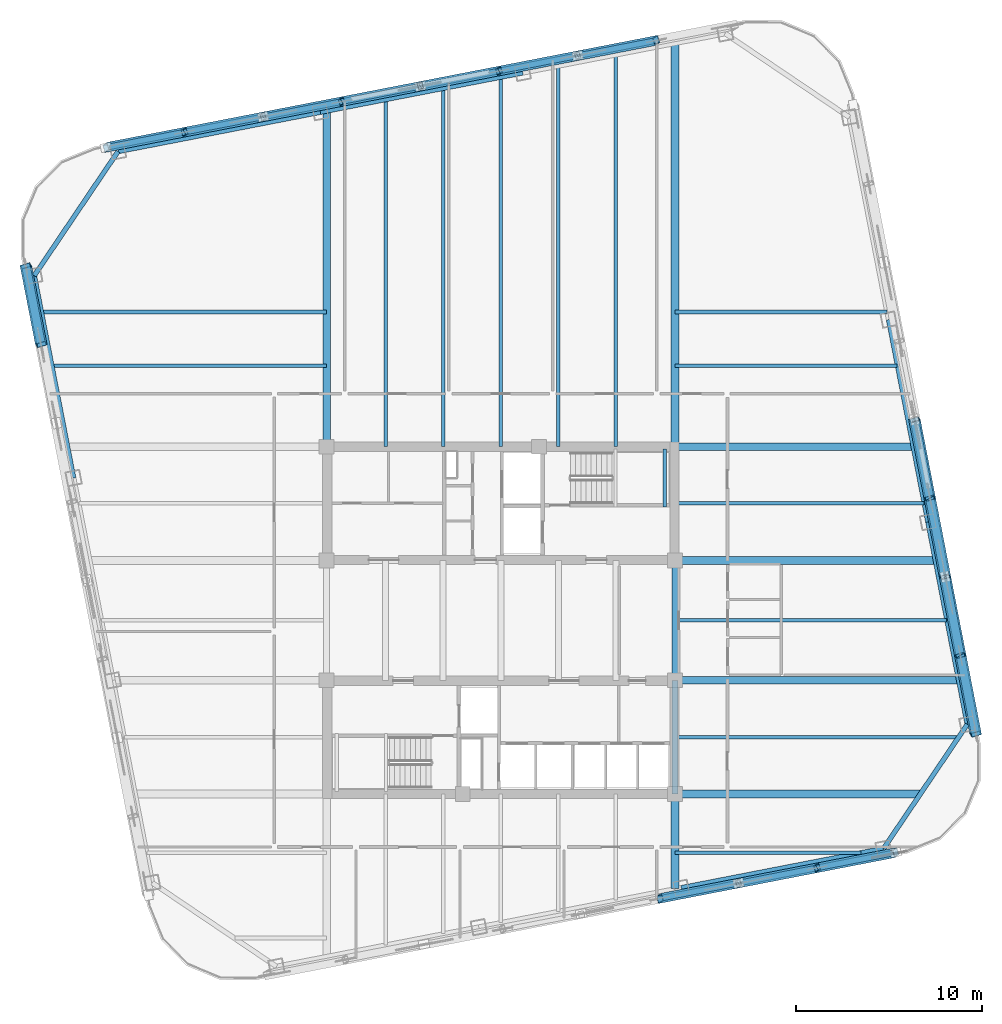
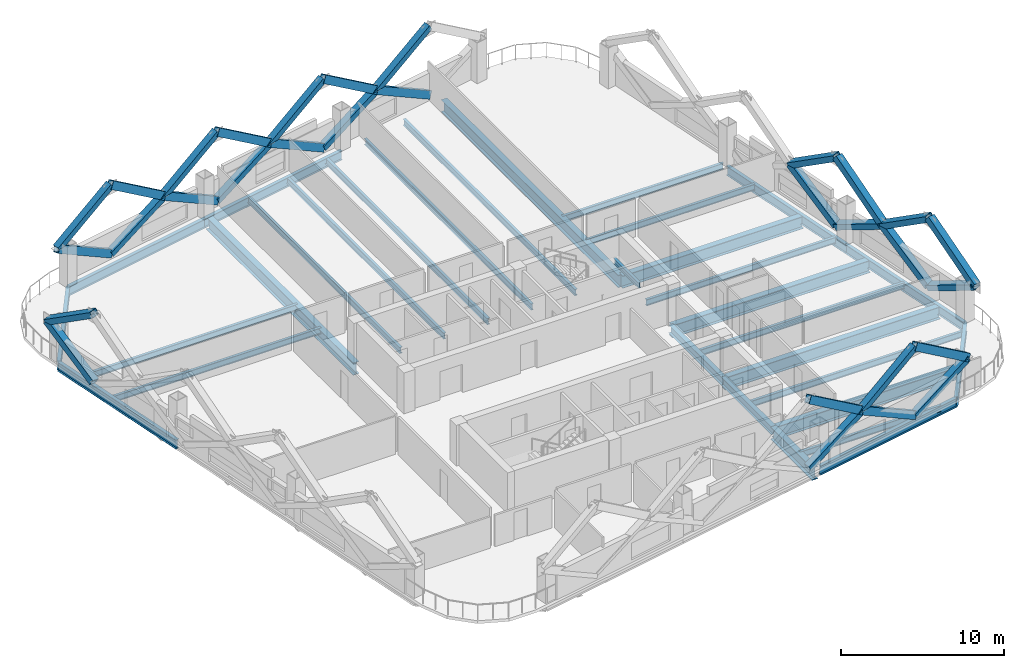
# One storey, part 2 of 10: 31 beams, 30 members.
"""IFC4 building model written with IfcOpenShell, lengths in metres."""

from ifc_helpers import new_model, si_unit, direction, frame, origin, origin_2d, place, context, subcontext, project, spatial, hollow_rectangle, i_section, extrude, material, material_profile, profile_set, type_object, element, save


model = new_model("IFC4")

# Units and contexts
model_context = context("Model", 3, precision=1e-05, world=origin(), true_north=direction((0.0, 1.0)))
body_context = subcontext(model_context, "Body", "Model", "MODEL_VIEW")
ifc_project = project(units=[si_unit("LENGTHUNIT", "METRE"), si_unit("AREAUNIT", "SQUARE_METRE"), si_unit("VOLUMEUNIT", "CUBIC_METRE"), si_unit("PLANEANGLEUNIT", "RADIAN"), si_unit("MASSUNIT", "GRAM", prefix="KILO")], contexts=[model_context])

# Site, building, storey
site_placement = place(None, origin())
site = spatial("IfcSite", under=ifc_project, at=site_placement, CompositionType="ELEMENT")
building_placement = place(site_placement, origin())
building = spatial("IfcBuilding", under=site, at=building_placement, Name="Qhalaya Broadcast Tower", CompositionType="ELEMENT")
storey_placement = place(building_placement, frame((0.0, 0.0, 125.0)))
storey = spatial("IfcBuildingStorey", under=building, at=storey_placement, Name="L36", CompositionType="ELEMENT", Elevation=125.0)

# Beams
ifc_material_1 = material(Name="Structural Steel ASTM A992 Grade 50", Category="steel")
ifc_material_profile_1 = material_profile(ifc_material_1, i_section(OverallWidth=0.19189453125, OverallDepth=0.462890625, WebThickness=0.010498046875, FlangeThickness=0.017578125, at=origin_2d()), Name="W18X60")
ifc_profile_set_1 = profile_set([ifc_material_profile_1], Name="Structural Steel ASTM A992 Grade 50")
beam_type_1 = type_object("IfcBeamType", Name="Composite Floor Joist J03", PredefinedType="JOIST", material=ifc_profile_set_1)
beam_1_placement = place(storey_placement, frame((-6.199951171875, 9.949951171875, -0.451416015625), z_axis=(0.0, 1.0, 0.0), x_axis=(-1.0, 0.0, 0.0)))
element("IfcBeam", 1, at=beam_1_placement, inside=storey, type_object=beam_type_1, Name="L36 J03 L36-JNN1-1", PredefinedType="JOIST", context=body_context, shape_type="SweptSolid", body=[
    extrude(i_section(OverallWidth=0.19189453125, OverallDepth=0.462890625, WebThickness=0.010498046875, FlangeThickness=0.017578125, at=origin_2d()), origin(), (0.0, 0.0, 1.0), 18.6728515625),
])
beam_2_placement = place(storey_placement, frame((-3.10009765625, 9.949951171875, -0.451416015625), z_axis=(0.0, 1.0, 0.0), x_axis=(-1.0, 0.0, 0.0)))
element("IfcBeam", 2, at=beam_2_placement, inside=storey, type_object=beam_type_1, Name="L36 J03 L36-JNN2-1", PredefinedType="JOIST", context=body_context, shape_type="SweptSolid", body=[
    extrude(i_section(OverallWidth=0.19189453125, OverallDepth=0.462890625, WebThickness=0.010498046875, FlangeThickness=0.017578125, at=origin_2d()), origin(), (0.0, 0.0, 1.0), 19.275390625),
])
beam_3_placement = place(storey_placement, frame((0.0, 9.949951171875, -0.451416015625), z_axis=(0.0, 1.0, 0.0), x_axis=(-1.0, 0.0, 0.0)))
element("IfcBeam", 3, at=beam_3_placement, inside=storey, type_object=beam_type_1, Name="L36 J03 L36-JNN3-1", PredefinedType="JOIST", context=body_context, shape_type="SweptSolid", body=[
    extrude(i_section(OverallWidth=0.19189453125, OverallDepth=0.462890625, WebThickness=0.010498046875, FlangeThickness=0.017578125, at=origin_2d()), origin(), (0.0, 0.0, 1.0), 19.8779296875),
])
beam_4_placement = place(storey_placement, frame((3.10009765625, 9.949951171875, -0.451416015625), z_axis=(0.0, 1.0, 0.0), x_axis=(-1.0, 0.0, 0.0)))
element("IfcBeam", 4, at=beam_4_placement, inside=storey, type_object=beam_type_1, Name="L36 J03 L36-JNN4-1", PredefinedType="JOIST", context=body_context, shape_type="SweptSolid", body=[
    extrude(i_section(OverallWidth=0.19189453125, OverallDepth=0.462890625, WebThickness=0.010498046875, FlangeThickness=0.017578125, at=origin_2d()), origin(), (0.0, 0.0, 1.0), 20.480712890625),
])
beam_5_placement = place(storey_placement, frame((6.199951171875, 9.949951171875, -0.451416015625), z_axis=(0.0, 1.0, 0.0), x_axis=(-1.0, 0.0, 0.0)))
element("IfcBeam", 5, at=beam_5_placement, inside=storey, type_object=beam_type_1, Name="L36 J03 L36-JNN5-1", PredefinedType="JOIST", context=body_context, shape_type="SweptSolid", body=[
    extrude(i_section(OverallWidth=0.19189453125, OverallDepth=0.462890625, WebThickness=0.010498046875, FlangeThickness=0.017578125, at=origin_2d()), origin(), (0.0, 0.0, 1.0), 21.083251953125),
])
beam_6_placement = place(storey_placement, frame((9.375, -11.89990234375, -0.451416015625), z_axis=(1.0, 0.0, 0.0), x_axis=(0.0, 1.0, 0.0)))
element("IfcBeam", 6, at=beam_6_placement, inside=storey, type_object=beam_type_1, Name="L36 J03 L36-JWE2E-1", PredefinedType="JOIST", context=body_context, shape_type="SweptSolid", body=[
    extrude(i_section(OverallWidth=0.19189453125, OverallDepth=0.462890625, WebThickness=0.010498046875, FlangeThickness=0.017578125, at=origin_2d()), origin(), (0.0, 0.0, 1.0), 10.009521484375),
])
beam_7_placement = place(storey_placement, frame((9.375, -5.699951171875, -0.451416015625), z_axis=(1.0, 0.0, 0.0), x_axis=(0.0, 1.0, 0.0)))
element("IfcBeam", 7, at=beam_7_placement, inside=storey, type_object=beam_type_1, Name="L36 J03 L36-JWE3E-1", PredefinedType="JOIST", context=body_context, shape_type="SweptSolid", body=[
    extrude(i_section(OverallWidth=0.19189453125, OverallDepth=0.462890625, WebThickness=0.010498046875, FlangeThickness=0.017578125, at=origin_2d()), origin(), (0.0, 0.0, 1.0), 15.24462890625),
])
beam_8_placement = place(storey_placement, frame((9.375, 0.60009765625, -0.451416015625), z_axis=(1.0, 0.0, 0.0), x_axis=(0.0, 1.0, 0.0)))
element("IfcBeam", 8, at=beam_8_placement, inside=storey, type_object=beam_type_1, Name="L36 J03 L36-JWE4E-1", PredefinedType="JOIST", context=body_context, shape_type="SweptSolid", body=[
    extrude(i_section(OverallWidth=0.19189453125, OverallDepth=0.462890625, WebThickness=0.010498046875, FlangeThickness=0.017578125, at=origin_2d()), origin(), (0.0, 0.0, 1.0), 14.632568359375),
])
beam_9_placement = place(storey_placement, frame((9.375, 6.89990234375, -0.451416015625), z_axis=(1.0, 0.0, 0.0), x_axis=(0.0, 1.0, 0.0)))
element("IfcBeam", 9, at=beam_9_placement, inside=storey, type_object=beam_type_1, Name="L36 J03 L36-JWE5E-1", PredefinedType="JOIST", context=body_context, shape_type="SweptSolid", body=[
    extrude(i_section(OverallWidth=0.19189453125, OverallDepth=0.462890625, WebThickness=0.010498046875, FlangeThickness=0.017578125, at=origin_2d()), origin(), (0.0, 0.0, 1.0), 13.407958984375),
])
beam_10_placement = place(storey_placement, frame((-24.1513671875, 14.300048828125, -0.451416015625), z_axis=(1.0, 0.0, 0.0), x_axis=(0.0, 1.0, 0.0)))
element("IfcBeam", 10, at=beam_10_placement, inside=storey, type_object=beam_type_1, Name="L36 J03 L36-JWE6W-1", PredefinedType="JOIST", context=body_context, shape_type="SweptSolid", body=[
    extrude(i_section(OverallWidth=0.19189453125, OverallDepth=0.462890625, WebThickness=0.010498046875, FlangeThickness=0.017578125, at=origin_2d()), origin(), (0.0, 0.0, 1.0), 14.7763671875),
])
beam_11_placement = place(storey_placement, frame((9.375, 14.300048828125, -0.451416015625), z_axis=(1.0, 0.0, 0.0), x_axis=(0.0, 1.0, 0.0)))
element("IfcBeam", 11, at=beam_11_placement, inside=storey, type_object=beam_type_1, Name="L36 J03 L36-JWE6E-1", PredefinedType="JOIST", context=body_context, shape_type="SweptSolid", body=[
    extrude(i_section(OverallWidth=0.19189453125, OverallDepth=0.462890625, WebThickness=0.010498046875, FlangeThickness=0.017578125, at=origin_2d()), origin(), (0.0, 0.0, 1.0), 11.969482421875),
])
beam_12_placement = place(storey_placement, frame((-24.715087890625, 17.199951171875, -0.451416015625), z_axis=(1.0, 0.0, 0.0), x_axis=(0.0, 1.0, 0.0)))
element("IfcBeam", 12, at=beam_12_placement, inside=storey, type_object=beam_type_1, Name="L36 J03 L36-JWE7W-1", PredefinedType="JOIST", context=body_context, shape_type="SweptSolid", body=[
    extrude(i_section(OverallWidth=0.19189453125, OverallDepth=0.462890625, WebThickness=0.010498046875, FlangeThickness=0.017578125, at=origin_2d()), origin(), (0.0, 0.0, 1.0), 15.340087890625),
])
beam_13_placement = place(storey_placement, frame((9.375, 17.199951171875, -0.451416015625), z_axis=(1.0, 0.0, 0.0), x_axis=(0.0, 1.0, 0.0)))
element("IfcBeam", 13, at=beam_13_placement, inside=storey, type_object=beam_type_1, Name="L36 J03 L36-JWE7E-1", PredefinedType="JOIST", context=body_context, shape_type="SweptSolid", body=[
    extrude(i_section(OverallWidth=0.19189453125, OverallDepth=0.462890625, WebThickness=0.010498046875, FlangeThickness=0.017578125, at=origin_2d()), origin(), (0.0, 0.0, 1.0), 11.40576171875),
])
ifc_material_profile_2 = material_profile(ifc_material_1, i_section(OverallWidth=0.323974609375, OverallDepth=0.612060546875, WebThickness=0.0126953125, FlangeThickness=0.01904296875, at=origin_2d()), Name="W24X104")
ifc_profile_set_2 = profile_set([ifc_material_profile_2], Name="Structural Steel ASTM A992 Grade 50")
beam_type_2 = type_object("IfcBeamType", Name="Core Frame Tie Beam B04", PredefinedType="BEAM", material=ifc_profile_set_2)
beam_14_placement = place(storey_placement, frame((9.375, -8.75, -0.52587890625), z_axis=(0.0, 1.0, 0.0), x_axis=(-1.0, 0.0, 0.0)))
element("IfcBeam", 14, at=beam_14_placement, inside=storey, type_object=beam_type_2, Name="L36 B04 L36-CCS2", PredefinedType="BEAM", context=body_context, shape_type="SweptSolid", body=[
    extrude(i_section(OverallWidth=0.323974609375, OverallDepth=0.612060546875, WebThickness=0.0126953125, FlangeThickness=0.01904296875, at=origin_2d()), origin(), (0.0, 0.0, 1.0), 6.125),
])
beam_15_placement = place(storey_placement, frame((9.375, -2.625, -0.52587890625), z_axis=(0.0, 1.0, 0.0), x_axis=(-1.0, 0.0, 0.0)))
element("IfcBeam", 15, at=beam_15_placement, inside=storey, type_object=beam_type_2, Name="L36 B04 L36-CCE", PredefinedType="BEAM", context=body_context, shape_type="SweptSolid", body=[
    extrude(i_section(OverallWidth=0.323974609375, OverallDepth=0.612060546875, WebThickness=0.0126953125, FlangeThickness=0.01904296875, at=origin_2d()), origin(), (0.0, 0.0, 1.0), 6.449951171875),
])

# Members
ifc_material_2 = material(Name="Structural Steel ASTM A572 Grade 50", Category="steel")
ifc_material_profile_3 = material_profile(ifc_material_2, hollow_rectangle(XDim=0.419921875, YDim=0.550048828125, WallThickness=0.028076171875, at=origin_2d()), Name="BOX 420x550x28")
ifc_profile_set_3 = profile_set([ifc_material_profile_3], Name="Structural Steel ASTM A572 Grade 50")
member_type = type_object("IfcMemberType", Name="Exoskeleton Diamond Diagonal Mid-Low EX2", PredefinedType="BRACE", material=ifc_profile_set_3)
member_1_placement = place(storey_placement, frame((8.562744140625, -14.370361328125, 0.360107421875), z_axis=(0.863638454011, 0.167906178469, 0.475327398733), x_axis=(-0.276367332329, 0.94627634662, 0.167875470061)))
element("IfcMember", 16, at=member_1_placement, inside=storey, type_object=member_type, Name="B3 Exoskeleton Diamond Brace S3-D2", PredefinedType="BRACE", context=body_context, shape_type="SweptSolid", body=[
    extrude(hollow_rectangle(XDim=0.419921875, YDim=0.550048828125, WallThickness=0.028076171875, at=origin_2d()), origin(), (0.0, 0.0, 1.0), 4.901611328125),
])
member_2_placement = place(storey_placement, frame((12.7958984375, -13.54736328125, 2.68994140625), z_axis=(-0.822423775729, -0.159893335716, 0.545942537553), x_axis=(0.289593689204, -0.943704915221, 0.15986409278)))
element("IfcMember", 17, at=member_2_placement, inside=storey, type_object=member_type, Name="B3 Exoskeleton Diamond Brace S3-D4", PredefinedType="BRACE", context=body_context, shape_type="SweptSolid", body=[
    extrude(hollow_rectangle(XDim=0.419921875, YDim=0.550048828125, WallThickness=0.028076171875, at=origin_2d()), origin(), (0.0, 0.0, 1.0), 5.147216796875),
])
for number, where, z_axis, x_axis, name in (
    (18, (17.029296875, -12.724609375, 0.360107421875), (-0.86365833241, -0.167850552493, 0.475310926539), (0.276301438011, -0.94629528784, 0.16787716809), "B3 Exoskeleton Diamond Brace S4-D1"),
    (19, (17.029296875, -12.724609375, 0.360107421875), (0.863638454011, 0.167906178469, 0.475327398733), (-0.276367332329, 0.94627634662, 0.167875470061), "B3 Exoskeleton Diamond Brace S4-D2"),
):
    element("IfcMember", number, at=place(storey_placement, frame(where, z_axis=z_axis, x_axis=x_axis)), inside=storey, type_object=member_type, Name=name, PredefinedType="BRACE", context=body_context, shape_type="SweptSolid", body=[
        extrude(hollow_rectangle(XDim=0.419921875, YDim=0.550048828125, WallThickness=0.028076171875, at=origin_2d()), origin(), (0.0, 0.0, 1.0), 4.901611328125),
    ])
for number, where, z_axis, x_axis, name in (
    (20, (12.7958984375, -13.54736328125, 2.68994140625), (0.822445360829, 0.159840880392, 0.545925380804), (-0.289527837313, 0.943724759255, 0.159866225918), "B3 Exoskeleton Diamond Brace S4-D3"),
    (21, (21.262451171875, -11.901611328125, 2.68994140625), (-0.822423775729, -0.159893335716, 0.545942537553), (0.289593689204, -0.943704915221, 0.15986409278), "B3 Exoskeleton Diamond Brace S4-D4"),
):
    element("IfcMember", number, at=place(storey_placement, frame(where, z_axis=z_axis, x_axis=x_axis)), inside=storey, type_object=member_type, Name=name, PredefinedType="BRACE", context=body_context, shape_type="SweptSolid", body=[
        extrude(hollow_rectangle(XDim=0.419921875, YDim=0.550048828125, WallThickness=0.028076171875, at=origin_2d()), origin(), (0.0, 0.0, 1.0), 5.147216796875),
    ])
member_3_placement = place(storey_placement, frame((24.74169921875, -1.290283203125, 0.360107421875), z_axis=(0.16789895591, -0.863651111089, 0.475306952314), x_axis=(-0.276340291523, 0.421587029347, 0.863655266856)))
element("IfcMember", 22, at=member_3_placement, inside=storey, type_object=member_type, Name="B3 Exoskeleton Diamond Brace E1-D1", PredefinedType="BRACE", context=body_context, shape_type="SweptSolid", body=[
    extrude(hollow_rectangle(XDim=0.419921875, YDim=0.550048828125, WallThickness=0.028076171875, at=origin_2d()), origin(), (0.0, 0.0, 1.0), 4.90185546875),
])
member_4_placement = place(storey_placement, frame((24.74169921875, -1.290283203125, 0.360107421875), z_axis=(-0.167906178469, 0.863638454011, 0.475327398733), x_axis=(0.276348676601, -0.421603745685, 0.863644423687)))
element("IfcMember", 23, at=member_4_placement, inside=storey, type_object=member_type, Name="B3 Exoskeleton Diamond Brace E1-D2", PredefinedType="BRACE", context=body_context, shape_type="SweptSolid", body=[
    extrude(hollow_rectangle(XDim=0.419921875, YDim=0.550048828125, WallThickness=0.028076171875, at=origin_2d()), origin(), (0.0, 0.0, 1.0), 4.901611328125),
])
member_5_placement = place(storey_placement, frame((25.564697265625, -5.523681640625, 2.68994140625), z_axis=(-0.159887098587, 0.822439124739, 0.545921241393), x_axis=(0.289568264946, -0.489630060841, 0.822443082199)))
element("IfcMember", 24, at=member_5_placement, inside=storey, type_object=member_type, Name="B3 Exoskeleton Diamond Brace E1-D3", PredefinedType="BRACE", context=body_context, shape_type="SweptSolid", body=[
    extrude(hollow_rectangle(XDim=0.419921875, YDim=0.550048828125, WallThickness=0.028076171875, at=origin_2d()), origin(), (0.0, 0.0, 1.0), 5.1474609375),
])
member_6_placement = place(storey_placement, frame((23.918701171875, 2.94287109375, 2.68994140625), z_axis=(0.159893335716, -0.822423775729, 0.545942537553), x_axis=(-0.289577544331, 0.489647453062, 0.822429460519)))
element("IfcMember", 25, at=member_6_placement, inside=storey, type_object=member_type, Name="B3 Exoskeleton Diamond Brace E1-D4", PredefinedType="BRACE", context=body_context, shape_type="SweptSolid", body=[
    extrude(hollow_rectangle(XDim=0.419921875, YDim=0.550048828125, WallThickness=0.028076171875, at=origin_2d()), origin(), (0.0, 0.0, 1.0), 5.147216796875),
])
for number, where, z_axis, x_axis, name in (
    (26, (23.095947265625, 7.17626953125, 0.360107421875), (0.167850552493, -0.86365833241, 0.475310926539), (-0.276317607547, 0.421606214628, 0.863653159287), "B3 Exoskeleton Diamond Brace E2-D1"),
    (27, (23.095947265625, 7.17626953125, 0.360107421875), (-0.16785777309, 0.863645675846, 0.47533137347), (0.276325990581, -0.421622932738, 0.86364231573), "B3 Exoskeleton Diamond Brace E2-D2"),
):
    element("IfcMember", number, at=place(storey_placement, frame(where, z_axis=z_axis, x_axis=x_axis)), inside=storey, type_object=member_type, Name=name, PredefinedType="BRACE", context=body_context, shape_type="SweptSolid", body=[
        extrude(hollow_rectangle(XDim=0.419921875, YDim=0.550048828125, WallThickness=0.028076171875, at=origin_2d()), origin(), (0.0, 0.0, 1.0), 4.901611328125),
    ])
for number, where, z_axis, x_axis, name in (
    (28, (23.918701171875, 2.94287109375, 2.68994140625), (-0.159840880392, 0.822445360829, 0.545925380804), (0.289541830698, -0.489650140275, 0.822440434563), "B3 Exoskeleton Diamond Brace E2-D3"),
    (29, (22.273193359375, 11.409423828125, 2.68994140625), (0.159847115813, -0.822430012189, 0.545946677449), (-0.289551107794, 0.489667534331, 0.822426812426), "B3 Exoskeleton Diamond Brace E2-D4"),
):
    element("IfcMember", number, at=place(storey_placement, frame(where, z_axis=z_axis, x_axis=x_axis)), inside=storey, type_object=member_type, Name=name, PredefinedType="BRACE", context=body_context, shape_type="SweptSolid", body=[
        extrude(hollow_rectangle(XDim=0.419921875, YDim=0.550048828125, WallThickness=0.028076171875, at=origin_2d()), origin(), (0.0, 0.0, 1.0), 5.147216796875),
    ])
member_7_placement = place(storey_placement, frame((8.370361328125, 31.82177734375, 0.360107421875), z_axis=(-0.863638454011, -0.167906178469, 0.475327398733), x_axis=(0.276367332329, -0.94627634662, 0.167875470061)))
element("IfcMember", 30, at=member_7_placement, inside=storey, type_object=member_type, Name="B3 Exoskeleton Diamond Brace N1-D2", PredefinedType="BRACE", context=body_context, shape_type="SweptSolid", body=[
    extrude(hollow_rectangle(XDim=0.419921875, YDim=0.550048828125, WallThickness=0.028076171875, at=origin_2d()), origin(), (0.0, 0.0, 1.0), 4.901611328125),
])
member_8_placement = place(storey_placement, frame((4.13720703125, 30.998779296875, 2.68994140625), z_axis=(0.822423775729, 0.159893335716, 0.545942537553), x_axis=(-0.289593689204, 0.943704915221, 0.15986409278)))
element("IfcMember", 31, at=member_8_placement, inside=storey, type_object=member_type, Name="B3 Exoskeleton Diamond Brace N1-D4", PredefinedType="BRACE", context=body_context, shape_type="SweptSolid", body=[
    extrude(hollow_rectangle(XDim=0.419921875, YDim=0.550048828125, WallThickness=0.028076171875, at=origin_2d()), origin(), (0.0, 0.0, 1.0), 5.147216796875),
])
member_9_placement = place(storey_placement, frame((-0.09619140625, 30.176025390625, 0.360107421875), z_axis=(0.86365833241, 0.167850552493, 0.475310926539), x_axis=(-0.276301438011, 0.94629528784, 0.16787716809)))
element("IfcMember", 32, at=member_9_placement, inside=storey, type_object=member_type, Name="B3 Exoskeleton Diamond Brace N2-D1", PredefinedType="BRACE", context=body_context, shape_type="SweptSolid", body=[
    extrude(hollow_rectangle(XDim=0.419921875, YDim=0.550048828125, WallThickness=0.028076171875, at=origin_2d()), origin(), (0.0, 0.0, 1.0), 4.901611328125),
])
member_10_placement = place(storey_placement, frame((-0.09619140625, 30.176025390625, 0.360107421875), z_axis=(-0.863651111089, -0.16789895591, 0.475306952314), x_axis=(0.276353279337, -0.946280076872, 0.16787757776)))
element("IfcMember", 33, at=member_10_placement, inside=storey, type_object=member_type, Name="B3 Exoskeleton Diamond Brace N2-D2", PredefinedType="BRACE", context=body_context, shape_type="SweptSolid", body=[
    extrude(hollow_rectangle(XDim=0.419921875, YDim=0.550048828125, WallThickness=0.028076171875, at=origin_2d()), origin(), (0.0, 0.0, 1.0), 4.90185546875),
])
member_11_placement = place(storey_placement, frame((4.13720703125, 30.998779296875, 2.68994140625), z_axis=(-0.822445360829, -0.159840880392, 0.545925380804), x_axis=(0.289527837313, -0.943724759255, 0.159866225918)))
element("IfcMember", 34, at=member_11_placement, inside=storey, type_object=member_type, Name="B3 Exoskeleton Diamond Brace N2-D3", PredefinedType="BRACE", context=body_context, shape_type="SweptSolid", body=[
    extrude(hollow_rectangle(XDim=0.419921875, YDim=0.550048828125, WallThickness=0.028076171875, at=origin_2d()), origin(), (0.0, 0.0, 1.0), 5.147216796875),
])
member_12_placement = place(storey_placement, frame((-4.32958984375, 29.35302734375, 2.68994140625), z_axis=(0.822439124739, 0.159887098587, 0.545921241393), x_axis=(-0.289579504833, 0.943708819309, 0.159866740566)))
element("IfcMember", 35, at=member_12_placement, inside=storey, type_object=member_type, Name="B3 Exoskeleton Diamond Brace N2-D4", PredefinedType="BRACE", context=body_context, shape_type="SweptSolid", body=[
    extrude(hollow_rectangle(XDim=0.419921875, YDim=0.550048828125, WallThickness=0.028076171875, at=origin_2d()), origin(), (0.0, 0.0, 1.0), 5.1474609375),
])
for number, where, z_axis, x_axis, name in (
    (36, (-8.562744140625, 28.5302734375, 0.360107421875), (0.863645675846, 0.16785777309, 0.47533137347), (-0.276315488493, 0.946291559163, 0.167875060316), "B3 Exoskeleton Diamond Brace N3-D1"),
    (37, (-8.562744140625, 28.5302734375, 0.360107421875), (-0.863645675846, -0.16785777309, 0.47533137347), (0.276315488493, -0.946291559163, 0.167875060316), "B3 Exoskeleton Diamond Brace N3-D2"),
):
    element("IfcMember", number, at=place(storey_placement, frame(where, z_axis=z_axis, x_axis=x_axis)), inside=storey, type_object=member_type, Name=name, PredefinedType="BRACE", context=body_context, shape_type="SweptSolid", body=[
        extrude(hollow_rectangle(XDim=0.419921875, YDim=0.550048828125, WallThickness=0.028076171875, at=origin_2d()), origin(), (0.0, 0.0, 1.0), 4.901611328125),
    ])
for number, where, z_axis, x_axis, name in (
    (38, (-4.32958984375, 29.35302734375, 2.68994140625), (-0.822430012189, -0.159847115813, 0.545946677449), (0.289542019185, -0.943720856791, 0.159863578043), "B3 Exoskeleton Diamond Brace N3-D3"),
    (39, (-12.7958984375, 27.70751953125, 2.68994140625), (0.822430012189, 0.159847115813, 0.545946677449), (-0.289542019185, 0.943720856791, 0.159863578043), "B3 Exoskeleton Diamond Brace N3-D4"),
):
    element("IfcMember", number, at=place(storey_placement, frame(where, z_axis=z_axis, x_axis=x_axis)), inside=storey, type_object=member_type, Name=name, PredefinedType="BRACE", context=body_context, shape_type="SweptSolid", body=[
        extrude(hollow_rectangle(XDim=0.419921875, YDim=0.550048828125, WallThickness=0.028076171875, at=origin_2d()), origin(), (0.0, 0.0, 1.0), 5.147216796875),
    ])
member_13_placement = place(storey_placement, frame((-17.029296875, 26.884521484375, 0.360107421875), z_axis=(0.863651111089, 0.16789895591, 0.475306952314), x_axis=(-0.276353279337, 0.946280076872, 0.16787757776)))
element("IfcMember", 40, at=member_13_placement, inside=storey, type_object=member_type, Name="B3 Exoskeleton Diamond Brace N4-D1", PredefinedType="BRACE", context=body_context, shape_type="SweptSolid", body=[
    extrude(hollow_rectangle(XDim=0.419921875, YDim=0.550048828125, WallThickness=0.028076171875, at=origin_2d()), origin(), (0.0, 0.0, 1.0), 4.90185546875),
])
member_14_placement = place(storey_placement, frame((-17.029296875, 26.884521484375, 0.360107421875), z_axis=(-0.863645675846, -0.16785777309, 0.47533137347), x_axis=(0.276315488493, -0.946291559163, 0.167875060316)))
element("IfcMember", 41, at=member_14_placement, inside=storey, type_object=member_type, Name="B3 Exoskeleton Diamond Brace N4-D2", PredefinedType="BRACE", context=body_context, shape_type="SweptSolid", body=[
    extrude(hollow_rectangle(XDim=0.419921875, YDim=0.550048828125, WallThickness=0.028076171875, at=origin_2d()), origin(), (0.0, 0.0, 1.0), 4.901611328125),
])
member_15_placement = place(storey_placement, frame((-12.7958984375, 27.70751953125, 2.68994140625), z_axis=(-0.822439124739, -0.159887098587, 0.545921241393), x_axis=(0.289579504833, -0.943708819309, 0.159866740566)))
element("IfcMember", 42, at=member_15_placement, inside=storey, type_object=member_type, Name="B3 Exoskeleton Diamond Brace N4-D3", PredefinedType="BRACE", context=body_context, shape_type="SweptSolid", body=[
    extrude(hollow_rectangle(XDim=0.419921875, YDim=0.550048828125, WallThickness=0.028076171875, at=origin_2d()), origin(), (0.0, 0.0, 1.0), 5.1474609375),
])
member_16_placement = place(storey_placement, frame((-21.262451171875, 26.061767578125, 2.68994140625), z_axis=(0.822430012189, 0.159847115813, 0.545946677449), x_axis=(-0.289542019185, 0.943720856791, 0.159863578043)))
element("IfcMember", 43, at=member_16_placement, inside=storey, type_object=member_type, Name="B3 Exoskeleton Diamond Brace N4-D4", PredefinedType="BRACE", context=body_context, shape_type="SweptSolid", body=[
    extrude(hollow_rectangle(XDim=0.419921875, YDim=0.550048828125, WallThickness=0.028076171875, at=origin_2d()), origin(), (0.0, 0.0, 1.0), 5.147216796875),
])
member_17_placement = place(storey_placement, frame((-24.74169921875, 15.4501953125, 0.360107421875), z_axis=(-0.16789895591, 0.863651111089, 0.475306952314), x_axis=(0.276340291523, -0.421587029347, 0.863655266856)))
element("IfcMember", 44, at=member_17_placement, inside=storey, type_object=member_type, Name="B3 Exoskeleton Diamond Brace W1-D1", PredefinedType="BRACE", context=body_context, shape_type="SweptSolid", body=[
    extrude(hollow_rectangle(XDim=0.419921875, YDim=0.550048828125, WallThickness=0.028076171875, at=origin_2d()), origin(), (0.0, 0.0, 1.0), 4.90185546875),
])
member_18_placement = place(storey_placement, frame((-25.564697265625, 19.68359375, 2.68994140625), z_axis=(0.159887098587, -0.822439124739, 0.545921241393), x_axis=(-0.289568264946, 0.489630060841, 0.822443082199)))
element("IfcMember", 45, at=member_18_placement, inside=storey, type_object=member_type, Name="B3 Exoskeleton Diamond Brace W1-D3", PredefinedType="BRACE", context=body_context, shape_type="SweptSolid", body=[
    extrude(hollow_rectangle(XDim=0.419921875, YDim=0.550048828125, WallThickness=0.028076171875, at=origin_2d()), origin(), (0.0, 0.0, 1.0), 5.1474609375),
])

# Beams
ifc_material_profile_4 = material_profile(ifc_material_1, i_section(OverallWidth=0.4189453125, OverallDepth=0.927001953125, WebThickness=0.019287109375, FlangeThickness=0.031982421875, at=origin_2d()), Name="W36X231")
ifc_profile_set_4 = profile_set([ifc_material_profile_4], Name="Structural Steel ASTM A992 Grade 50")
beam_type_3 = type_object("IfcBeamType", Name="Mid Block Primary Girder PG3", PredefinedType="USERDEFINED", material=ifc_profile_set_4)
beam_16_placement = place(storey_placement, frame((-9.375, 9.949951171875, -0.68359375), z_axis=(0.0, 1.0, 0.0), x_axis=(-1.0, 0.0, 0.0)))
element("IfcBeam", 46, at=beam_16_placement, inside=storey, type_object=beam_type_3, Name="L36 PG3 L36-PGXN1-1", ObjectType="GIRDER", PredefinedType="USERDEFINED", context=body_context, shape_type="SweptSolid", body=[
    extrude(i_section(OverallWidth=0.4189453125, OverallDepth=0.927001953125, WebThickness=0.019287109375, FlangeThickness=0.031982421875, at=origin_2d()), origin(), (0.0, 0.0, 1.0), 18.0556640625),
])
beam_17_placement = place(storey_placement, frame((9.375, -13.845703125, -0.68359375), z_axis=(0.0, 1.0, 0.0), x_axis=(-1.0, 0.0, 0.0)))
element("IfcBeam", 47, at=beam_17_placement, inside=storey, type_object=beam_type_3, Name="L36 PG3 L36-PGXS2-1", ObjectType="GIRDER", PredefinedType="USERDEFINED", context=body_context, shape_type="SweptSolid", body=[
    extrude(i_section(OverallWidth=0.4189453125, OverallDepth=0.927001953125, WebThickness=0.019287109375, FlangeThickness=0.031982421875, at=origin_2d()), origin(), (0.0, 0.0, 1.0), 5.095703125),
])
beam_18_placement = place(storey_placement, frame((9.375, 9.949951171875, -0.68359375), z_axis=(0.0, 1.0, 0.0), x_axis=(-1.0, 0.0, 0.0)))
element("IfcBeam", 48, at=beam_18_placement, inside=storey, type_object=beam_type_3, Name="L36 PG3 L36-PGXN2-1", ObjectType="GIRDER", PredefinedType="USERDEFINED", context=body_context, shape_type="SweptSolid", body=[
    extrude(i_section(OverallWidth=0.4189453125, OverallDepth=0.927001953125, WebThickness=0.019287109375, FlangeThickness=0.031982421875, at=origin_2d()), origin(), (0.0, 0.0, 1.0), 21.7001953125),
])
beam_19_placement = place(storey_placement, frame((9.375, -8.75, -0.68359375), z_axis=(1.0, 0.0, 0.0), x_axis=(0.0, 1.0, 0.0)))
element("IfcBeam", 49, at=beam_19_placement, inside=storey, type_object=beam_type_3, Name="L36 PG3 L36-PGYE1-1", ObjectType="GIRDER", PredefinedType="USERDEFINED", context=body_context, shape_type="SweptSolid", body=[
    extrude(i_section(OverallWidth=0.4189453125, OverallDepth=0.927001953125, WebThickness=0.019287109375, FlangeThickness=0.031982421875, at=origin_2d()), origin(), (0.0, 0.0, 1.0), 13.1875),
])
beam_20_placement = place(storey_placement, frame((9.375, -2.625, -0.68359375), z_axis=(1.0, 0.0, 0.0), x_axis=(0.0, 1.0, 0.0)))
element("IfcBeam", 50, at=beam_20_placement, inside=storey, type_object=beam_type_3, Name="L36 PG3 L36-PGYE2-1", ObjectType="GIRDER", PredefinedType="USERDEFINED", context=body_context, shape_type="SweptSolid", body=[
    extrude(i_section(OverallWidth=0.4189453125, OverallDepth=0.927001953125, WebThickness=0.019287109375, FlangeThickness=0.031982421875, at=origin_2d()), origin(), (0.0, 0.0, 1.0), 15.259521484375),
])
beam_21_placement = place(storey_placement, frame((9.375, 3.824951171875, -0.68359375), z_axis=(1.0, 0.0, 0.0), x_axis=(0.0, 1.0, 0.0)))
element("IfcBeam", 51, at=beam_21_placement, inside=storey, type_object=beam_type_3, Name="L36 PG3 L36-PGYE3-1", ObjectType="GIRDER", PredefinedType="USERDEFINED", context=body_context, shape_type="SweptSolid", body=[
    extrude(i_section(OverallWidth=0.4189453125, OverallDepth=0.927001953125, WebThickness=0.019287109375, FlangeThickness=0.031982421875, at=origin_2d()), origin(), (0.0, 0.0, 1.0), 14.005615234375),
])
beam_22_placement = place(storey_placement, frame((9.375, 9.949951171875, -0.68359375), z_axis=(1.0, 0.0, 0.0), x_axis=(0.0, 1.0, 0.0)))
element("IfcBeam", 52, at=beam_22_placement, inside=storey, type_object=beam_type_3, Name="L36 PG3 L36-PGYE4-1", ObjectType="GIRDER", PredefinedType="USERDEFINED", context=body_context, shape_type="SweptSolid", body=[
    extrude(i_section(OverallWidth=0.4189453125, OverallDepth=0.927001953125, WebThickness=0.019287109375, FlangeThickness=0.031982421875, at=origin_2d()), origin(), (0.0, 0.0, 1.0), 12.815185546875),
])
ifc_material_profile_5 = material_profile(ifc_material_1, i_section(OverallWidth=0.25390625, OverallDepth=0.68310546875, WebThickness=0.012451171875, FlangeThickness=0.01904296875, at=origin_2d()), Name="W27X94")
ifc_profile_set_5 = profile_set([ifc_material_profile_5], Name="Structural Steel ASTM A992 Grade 50")
beam_type_4 = type_object("IfcBeamType", Name="Perimeter Ring Spandrel Beam SP1", PredefinedType="SPANDREL", material=ifc_profile_set_5)
beam_23_placement = place(storey_placement, frame((9.712646484375, -13.80029296875, -0.5615234375), z_axis=(0.981627979352, 0.190804900759, 0.0), x_axis=(-0.190804900759, 0.981627979352, 0.0)))
element("IfcBeam", 53, at=beam_23_placement, inside=storey, type_object=beam_type_4, Name="L36 SP1 L36-SPR-03", PredefinedType="SPANDREL", context=body_context, shape_type="SweptSolid", body=[
    extrude(i_section(OverallWidth=0.25390625, OverallDepth=0.68310546875, WebThickness=0.012451171875, FlangeThickness=0.01904296875, at=origin_2d()), origin(), (0.0, 0.0, 1.0), 11.099853515625),
])
beam_24_placement = place(storey_placement, frame((20.608642578125, -11.682373046875, -0.5615234375), z_axis=(0.559186208288, 0.829042088473, 0.0), x_axis=(-0.829042088473, 0.559186208288, 0.0)))
element("IfcBeam", 54, at=beam_24_placement, inside=storey, type_object=beam_type_4, Name="L36 SP1 L36-SPR-04", PredefinedType="SPANDREL", context=body_context, shape_type="SweptSolid", body=[
    extrude(i_section(OverallWidth=0.25390625, OverallDepth=0.68310546875, WebThickness=0.012451171875, FlangeThickness=0.01904296875, at=origin_2d()), origin(), (0.0, 0.0, 1.0), 8.06103515625),
])
for number, where, z_axis, x_axis, name in (
    (55, (25.1162109375, -4.99951171875, -0.5615234375), (-0.190804900759, 0.981627979352, 0.0), (-0.981627979352, -0.190804900759, 0.0), "L36 SP1 L36-SPR-05"),
    (56, (22.998291015625, 5.896484375, -0.5615234375), (-0.190804900759, 0.981627979352, 0.0), (-0.981627979352, -0.190804900759, 0.0), "L36 SP1 L36-SPR-06"),
    (57, (1.183349609375, 30.078369140625, -0.5615234375), (-0.981627979352, -0.190804900759, 0.0), (0.190804900759, -0.981627979352, 0.0), "L36 SP1 L36-SPR-10"),
    (58, (-9.712646484375, 27.96044921875, -0.5615234375), (-0.981623859527, -0.190826094673, 0.0), (0.190826094673, -0.981623859527, 0.0), "L36 SP1 L36-SPR-11"),
):
    element("IfcBeam", number, at=place(storey_placement, frame(where, z_axis=z_axis, x_axis=x_axis)), inside=storey, type_object=beam_type_4, Name=name, PredefinedType="SPANDREL", context=body_context, shape_type="SweptSolid", body=[
        extrude(i_section(OverallWidth=0.25390625, OverallDepth=0.68310546875, WebThickness=0.012451171875, FlangeThickness=0.01904296875, at=origin_2d()), origin(), (0.0, 0.0, 1.0), 11.099853515625),
    ])
beam_25_placement = place(storey_placement, frame((-20.608642578125, 25.84228515625, -0.5615234375), z_axis=(-0.559186208288, -0.829042088473, 0.0), x_axis=(0.829042088473, -0.559186208288, 0.0)))
element("IfcBeam", 59, at=beam_25_placement, inside=storey, type_object=beam_type_4, Name="L36 SP1 L36-SPR-12", PredefinedType="SPANDREL", context=body_context, shape_type="SweptSolid", body=[
    extrude(i_section(OverallWidth=0.25390625, OverallDepth=0.68310546875, WebThickness=0.012451171875, FlangeThickness=0.01904296875, at=origin_2d()), origin(), (0.0, 0.0, 1.0), 8.06103515625),
])
beam_26_placement = place(storey_placement, frame((-25.1162109375, 19.159423828125, -0.5615234375), z_axis=(0.190804900759, -0.981627979352, 0.0), x_axis=(0.981627979352, 0.190804900759, 0.0)))
element("IfcBeam", 60, at=beam_26_placement, inside=storey, type_object=beam_type_4, Name="L36 SP1 L36-SPR-13", PredefinedType="SPANDREL", context=body_context, shape_type="SweptSolid", body=[
    extrude(i_section(OverallWidth=0.25390625, OverallDepth=0.68310546875, WebThickness=0.012451171875, FlangeThickness=0.01904296875, at=origin_2d()), origin(), (0.0, 0.0, 1.0), 11.099853515625),
])
ifc_material_profile_6 = material_profile(ifc_material_1, i_section(OverallWidth=0.177978515625, OverallDepth=0.406005859375, WebThickness=0.0078125, FlangeThickness=0.0126953125, at=origin_2d()), Name="W16X40")
ifc_profile_set_6 = profile_set([ifc_material_profile_6], Name="Structural Steel ASTM A992 Grade 50")
beam_type_5 = type_object("IfcBeamType", Name="Upper Perimeter Spandrel Beam SP2", PredefinedType="SPANDREL", material=ifc_profile_set_6)
beam_27_placement = place(storey_placement, frame((8.830078125, 6.699951171875, 1.1220703125), z_axis=(0.0, 1.0, 0.0), x_axis=(-1.0, 0.0, 0.0)))
element("IfcBeam", 61, at=beam_27_placement, inside=storey, type_object=beam_type_5, Name="L36 ST-1 Half-Landing Bearer Beam 2", PredefinedType="SPANDREL", context=body_context, shape_type="SweptSolid", body=[
    extrude(i_section(OverallWidth=0.177978515625, OverallDepth=0.406005859375, WebThickness=0.0078125, FlangeThickness=0.0126953125, at=origin_2d()), origin(), (0.0, 0.0, 1.0), 3.1201171875),
])

save(model, "model.ifc")
